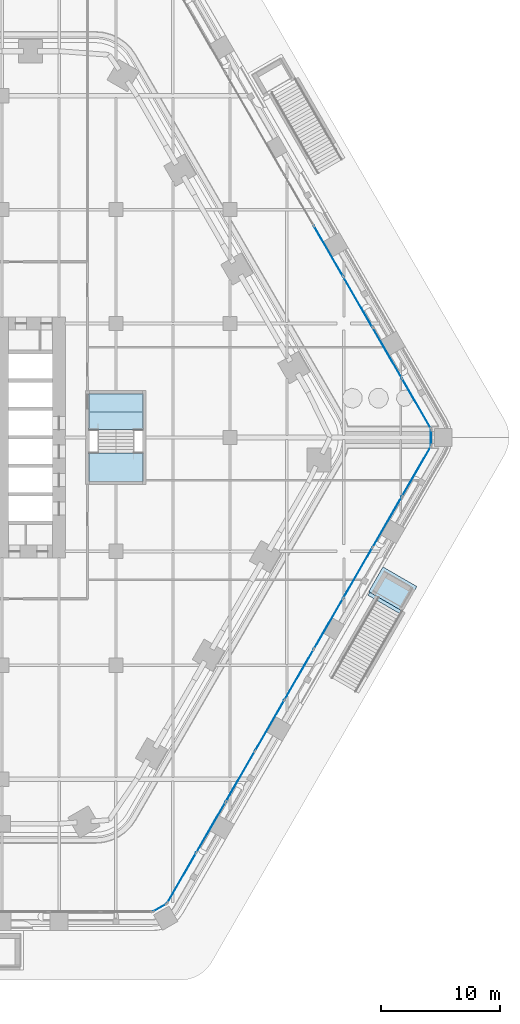
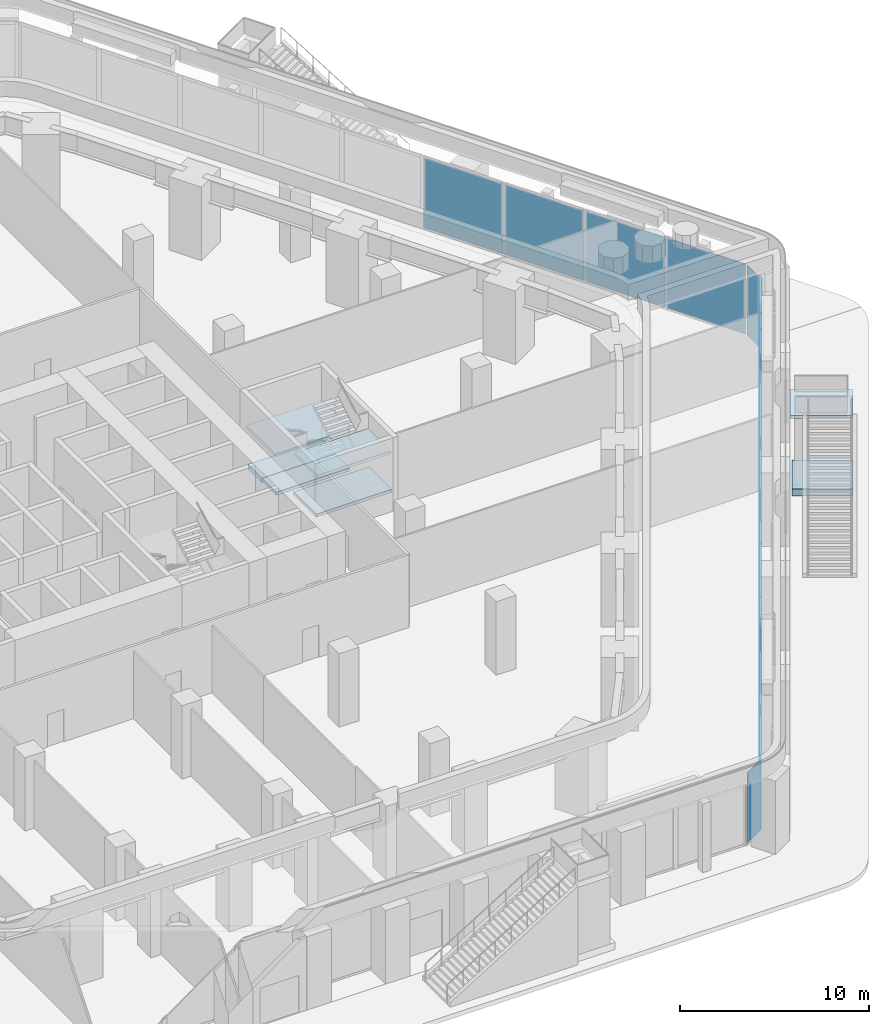
# One storey, part 15 of 34: 15 plates, 7 slabs, 6 elements without a shape of their own.
"""IFC4 building model written with IfcOpenShell, lengths in metres."""

import ifcopenshell
import ifcopenshell.guid

model = None  # the IFC model being written
_history = None  # IfcOwnerHistory: only IFC2X3 demands one
_inside = {}  # id of a spatial element -> (the spatial element, [elements in it])
_under = {}  # id of a project, library or spatial element -> (it, [spatial elements below it])
_declared = {}  # id of a project -> (the project, [libraries it declares])
_typed = {}  # id of a type object -> (the type object, [elements of that type])
_made_of = {}  # id of a material, layer set ... -> (it, [elements and type objects made of it])


def new_model(schema):
    """Start an empty IFC model of exactly this schema.

    Asked for "IFC4X3", IfcOpenShell would pick the latest addendum, in which some entities
    have other attributes; the version numbers below select the first issue.
    IFC2X3 requires an IfcOwnerHistory on every rooted entity: one is made here for all.
    """
    global model, _history
    if schema == "IFC4X3":
        model = ifcopenshell.file(schema_version=(4, 3, 0, 0))
    else:
        model = ifcopenshell.file(schema=schema)
    _inside.clear()
    _under.clear()
    _declared.clear()
    _typed.clear()
    _made_of.clear()
    _history = None
    if model.schema == "IFC2X3":
        org = make("IfcOrganization", Name="unknown")
        user = make(
            "IfcPersonAndOrganization",
            ThePerson=make("IfcPerson", FamilyName="unknown"),
            TheOrganization=org,
        )
        app = make(
            "IfcApplication",
            ApplicationDeveloper=org,
            Version="unknown",
            ApplicationFullName="unknown",
            ApplicationIdentifier="unknown",
        )
        _history = make(
            "IfcOwnerHistory",
            OwningUser=user,
            OwningApplication=app,
            ChangeAction="ADDED",
            CreationDate=0,
        )
    return model


def make(cls, **values):
    """One entity of the class cls with the attributes given. An attribute that is None is left unset."""
    return model.create_entity(
        cls, **{name: value for name, value in values.items() if value is not None}
    )


def rooted(cls, **values):
    """An entity with a GlobalId (a new one), such as an element, a storey or a relation."""
    return make(cls, GlobalId=ifcopenshell.guid.new(), OwnerHistory=_history, **values)


def si_unit(unit_type, name, prefix=None):
    """IfcSIUnit, for example si_unit("LENGTHUNIT", "METRE", prefix="MILLI")."""
    return make("IfcSIUnit", UnitType=unit_type, Prefix=prefix, Name=name)


def assignment(units):
    """IfcUnitAssignment: the units of a project."""
    return None if units is None else make("IfcUnitAssignment", Units=units)


def point(xyz):
    """IfcCartesianPoint."""
    return None if xyz is None else make("IfcCartesianPoint", Coordinates=xyz)


def direction(xyz):
    """IfcDirection."""
    return None if xyz is None else make("IfcDirection", DirectionRatios=xyz)


def frame(location, z_axis=None, x_axis=None):
    """IfcAxis2Placement3D, a coordinate frame: its origin and axes. An axis left out is left unset."""
    return make(
        "IfcAxis2Placement3D",
        Location=point(location),
        Axis=direction(z_axis),
        RefDirection=direction(x_axis),
    )


def frame_2d(location, x_axis=None):
    """IfcAxis2Placement2D, a coordinate frame in the plane: its origin and x axis."""
    return make(
        "IfcAxis2Placement2D", Location=point(location), RefDirection=direction(x_axis)
    )


def origin():
    """The frame at (0, 0, 0) with its axes left unset."""
    return frame((0.0, 0.0, 0.0))


def origin_2d():
    """The frame at (0, 0) in the plane with its x axis left unset."""
    return frame_2d((0.0, 0.0))


def place(relative_to, where):
    """IfcLocalPlacement: puts the frame where relative to a parent placement (None: the world)."""
    return make(
        "IfcLocalPlacement", PlacementRelTo=relative_to, RelativePlacement=where
    )


def context(
    kind, dimensions, precision=None, world=None, true_north=None, identifier=None
):
    """IfcGeometricRepresentationContext, for example the 3D "Model" context."""
    return make(
        "IfcGeometricRepresentationContext",
        ContextIdentifier=identifier,
        ContextType=kind,
        CoordinateSpaceDimension=dimensions,
        Precision=precision,
        WorldCoordinateSystem=world,
        TrueNorth=true_north,
    )


def subcontext(parent, identifier, kind, view, scale=None):
    """IfcGeometricRepresentationSubContext, for example "Body" below "Model"."""
    return make(
        "IfcGeometricRepresentationSubContext",
        ContextIdentifier=identifier,
        ContextType=kind,
        ParentContext=parent,
        TargetScale=scale,
        TargetView=view,
    )


def project(units=None, contexts=None):
    """IfcProject with its units and contexts."""
    return rooted(
        "IfcProject",
        Name="project",
        RepresentationContexts=contexts,
        UnitsInContext=assignment(units),
    )


def spatial(cls, under=None, at=None, **own):
    """A site, building, storey or space (cls), placed at a placement, below another one or the project."""
    s = rooted(cls, ObjectPlacement=at, **own)
    if under is not None:
        _under.setdefault(under.id(), (under, []))[1].append(s)
    return s


def polyline(points):
    """IfcPolyline through the points."""
    return make("IfcPolyline", Points=[point(p) for p in points])


def profile(cls, at=None, kind="AREA", **sizes):
    """A parametric profile (cls). Its sizes go by their IFC names, for example OverallWidth=200.0."""
    return make(cls, ProfileType=kind, Position=at, **sizes)


def rectangle(**sizes):
    """IfcRectangleProfileDef."""
    return profile("IfcRectangleProfileDef", **sizes)


def outline(outer, holes=None, kind="AREA"):
    """IfcArbitraryClosedProfileDef: a profile drawn as a closed curve; with holes, ...WithVoids."""
    if holes is None:
        return make("IfcArbitraryClosedProfileDef", ProfileType=kind, OuterCurve=outer)
    return make(
        "IfcArbitraryProfileDefWithVoids",
        ProfileType=kind,
        OuterCurve=outer,
        InnerCurves=holes,
    )


def extrude(swept, where, along, depth):
    """IfcExtrudedAreaSolid: the profile swept, set in the frame where, extruded along a direction by depth."""
    return make(
        "IfcExtrudedAreaSolid",
        SweptArea=swept,
        Position=where,
        ExtrudedDirection=direction(along),
        Depth=depth,
    )


def shape(context_of_items, identifier, shape_type, items):
    """IfcShapeRepresentation: the items that make up one representation, for example the "Body"."""
    return make(
        "IfcShapeRepresentation",
        ContextOfItems=context_of_items,
        RepresentationIdentifier=identifier,
        RepresentationType=shape_type,
        Items=items,
    )


def material(Name=None, Category=None):
    """IfcMaterial."""
    return make("IfcMaterial", Name=Name, Category=Category)


def layer(
    of_material, thickness, ventilated=None, Name=None, Category=None, Priority=None
):
    """IfcMaterialLayer: one layer of a wall or slab, of a material (None: an air gap)."""
    return make(
        "IfcMaterialLayer",
        Material=of_material,
        LayerThickness=thickness,
        IsVentilated=ventilated,
        Name=Name,
        Category=Category,
        Priority=Priority,
    )


def layer_set(layers, Name=None):
    """IfcMaterialLayerSet."""
    return make("IfcMaterialLayerSet", MaterialLayers=layers, LayerSetName=Name)


def made_of(thing, what):
    """Note that an element or type object is made of a material, layer set ...; save() writes the relation."""
    if what is not None:
        _made_of.setdefault(what.id(), (what, []))[1].append(thing)
    return thing


def type_object(cls, material=None, **own):
    """A type object (cls), such as IfcWallType, which elements share."""
    return made_of(rooted(cls, **own), material)


def element(
    cls,
    number,
    at=None,
    inside=None,
    cuts=None,
    type_object=None,
    material=None,
    context=None,
    identifier="Body",
    shape_type=None,
    held_by="IfcProductDefinitionShape",
    body=None,
    shapes=None,
    **own,
):
    """One element of the class cls, such as IfcWall. Its Tag is "e" and its number.

    at: its placement. inside: the storey or other place that contains it. cuts: it is an
    opening in that element (IfcRelVoidsElement). A single representation is given by context,
    identifier, shape_type and body (its items); several are given by shapes. held_by: the class
    of the entity that holds the representations. save() writes the other relations.
    """
    e = rooted(cls, Tag="e%d" % number, ObjectPlacement=at, **own)
    if body is not None:
        shapes = [shape(context, identifier, shape_type, body)]
    if shapes is not None:
        e.Representation = make(held_by, Representations=shapes)
    if inside is not None:
        _inside.setdefault(inside.id(), (inside, []))[1].append(e)
    if cuts is not None:
        rooted(
            "IfcRelVoidsElement", RelatingBuildingElement=cuts, RelatedOpeningElement=e
        )
    if type_object is not None:
        _typed.setdefault(type_object.id(), (type_object, []))[1].append(e)
    return made_of(e, material)


def aggregate(whole, parts):
    """IfcRelAggregates: a whole, such as a stair, and the parts it consists of."""
    return rooted("IfcRelAggregates", RelatingObject=whole, RelatedObjects=parts)


def save(model, path):
    """Write the relations noted so far, then the file.

    IfcRelAggregates (storeys below a building ...), IfcRelContainedInSpatialStructure (elements
    in a storey), IfcRelDefinesByType, IfcRelAssociatesMaterial and IfcRelDeclares: one each for
    every whole, place, type object, material and project.
    """
    for whole, parts in _under.values():
        aggregate(whole, parts)
    for where, things in _inside.values():
        rooted(
            "IfcRelContainedInSpatialStructure",
            RelatedElements=things,
            RelatingStructure=where,
        )
    for kind, things in _typed.values():
        rooted("IfcRelDefinesByType", RelatedObjects=things, RelatingType=kind)
    for what, things in _made_of.values():
        rooted("IfcRelAssociatesMaterial", RelatedObjects=things, RelatingMaterial=what)
    for by, libraries in _declared.values():
        rooted("IfcRelDeclares", RelatingContext=by, RelatedDefinitions=libraries)
    model.write(path)


model = new_model("IFC4")

# Units and contexts
model_context = context("Model", 3, precision=1e-05, world=origin(), true_north=direction((0.0, 1.0)))
body_context = subcontext(model_context, "Body", "Model", "MODEL_VIEW")
ifc_project = project(units=[si_unit("LENGTHUNIT", "METRE"), si_unit("AREAUNIT", "SQUARE_METRE"), si_unit("VOLUMEUNIT", "CUBIC_METRE"), si_unit("PLANEANGLEUNIT", "RADIAN"), si_unit("MASSUNIT", "GRAM", prefix="KILO")], contexts=[model_context])

# Site, building, storey
site_placement = place(None, origin())
site = spatial("IfcSite", under=ifc_project, at=site_placement, CompositionType="ELEMENT")
building_placement = place(site_placement, origin())
building = spatial("IfcBuilding", under=site, at=building_placement, Name="Kolab Exchange Tower", CompositionType="ELEMENT")
storey_placement = place(building_placement, frame((0.0, 0.0, 12.39990234375)))
storey = spatial("IfcBuildingStorey", under=building, at=storey_placement, Name="L02", CompositionType="ELEMENT", Elevation=12.39990234375)

# Slab
ifc_material_1 = material(Name="Concrete C35/45", Category="concrete")
ifc_layer_1 = layer(ifc_material_1, 0.300048828125)
ifc_layer_set_1 = layer_set([ifc_layer_1], Name="Concrete C35/45")
slab_type_1 = type_object("IfcSlabType", Name="FLOOR SLAB 300", PredefinedType="FLOOR", material=ifc_layer_set_1)
slab_1_placement = place(storey_placement, frame((0.0, 0.0, -0.2998046875)))
element("IfcSlab", 1, at=slab_1_placement, inside=storey, type_object=slab_type_1, Name="slab/L02/floor/9", PredefinedType="FLOOR", context=body_context, shape_type="SweptSolid", body=[
    extrude(outline(polyline([(21.449951171875, 3.64990234375), (16.949951171875, 3.64990234375), (16.949951171875, 2.14990234375), (21.449951171875, 2.14990234375), (21.449951171875, 3.64990234375)])), origin(), (0.0, 0.0, 1.0), 0.2998046875),
])

# Stair, slab
ifc_material_2 = material(Name="Concrete C40/50", Category="concrete")
stair_type_1 = type_object("IfcStairType", Name="GARDEN STAIR RUN A", PredefinedType="STRAIGHT_RUN_STAIR", material=ifc_material_2)
stair_1_placement = place(storey_placement, origin())
stair_1 = element("IfcStair", 2, at=stair_1_placement, inside=storey, type_object=stair_type_1, Name="Garden stair GS3 run A", PredefinedType="STRAIGHT_RUN_STAIR")
ifc_layer_2 = layer(ifc_material_2, 0.199951171875)
ifc_layer_set_2 = layer_set([ifc_layer_2], Name="Concrete C40/50")
slab_type_2 = type_object("IfcSlabType", Name="GARDEN STAIR LANDING 200", PredefinedType="LANDING", material=ifc_layer_set_2)
slab_2_placement = place(storey_placement, frame((0.0, 0.0, 4.800048828125)))
slab_2 = element("IfcSlab", 3, at=slab_2_placement, type_object=slab_type_2, Name="GS3 landing 1", PredefinedType="LANDING", context=body_context, shape_type="SweptSolid", body=[
    extrude(outline(polyline([(41.699951171875, -10.911865234375), (40.49755859375, -12.99462890625), (43.35546875, -14.644775390625), (44.557861328125, -12.56201171875), (41.699951171875, -10.911865234375)])), origin(), (0.0, 0.0, 1.0), 0.199951171875),
])
aggregate(stair_1, [slab_2])

# Curtain wall, plates
ifc_material_3 = material(Name="Aluminium EN AW-6063 T6", Category="aluminium")
curtain_wall_type = type_object("IfcCurtainWallType", Name="PODIUM STRUCTURAL GLAZING CURTAIN WALL", PredefinedType="NOTDEFINED", material=ifc_material_3)
curtain_wall_1_placement = place(storey_placement, origin())
curtain_wall_1 = element("IfcCurtainWall", 4, at=curtain_wall_1_placement, inside=storey, type_object=curtain_wall_type, Name="cw/L02/F2-1", PredefinedType="NOTDEFINED")
ifc_material_4 = material(Name="Clear insulated glazing unit", Category="glass")
ifc_layer_3 = layer(ifc_material_4, 0.035888671875)
ifc_layer_set_3 = layer_set([ifc_layer_3], Name="Clear insulated glazing unit")
plate_type = type_object("IfcPlateType", Name="PODIUM STRUCTURAL GLAZING GLASS PANEL 36", PredefinedType="CURTAIN_PANEL", material=ifc_layer_set_3)
plate_1_placement = place(storey_placement, frame((37.10595703125, 15.709228515625, 0.080078125), z_axis=(0.0, 0.0, 1.0), x_axis=(0.500000000469, -0.866025403514, 0.0)))
plate_1 = element("IfcPlate", 5, at=plate_1_placement, type_object=plate_type, Name="CW5 panel 6.1", PredefinedType="CURTAIN_PANEL", context=body_context, shape_type="SweptSolid", body=[
    extrude(rectangle(XDim=4.868408203125, YDim=0.035888671875, at=origin_2d()), origin(), (0.0, 0.0, 1.0), 4.5400390625),
])
plate_2_placement = place(storey_placement, frame((39.580078125, 11.423583984375, 0.080078125), z_axis=(0.0, 0.0, 1.0), x_axis=(0.500000000469, -0.866025403514, 0.0)))
plate_2 = element("IfcPlate", 6, at=plate_2_placement, type_object=plate_type, Name="CW5 panel 7.1", PredefinedType="CURTAIN_PANEL", context=body_context, shape_type="SweptSolid", body=[
    extrude(rectangle(XDim=4.868408203125, YDim=0.035888671875, at=origin_2d()), origin(), (0.0, 0.0, 1.0), 4.5400390625),
])
plate_3_placement = place(storey_placement, frame((42.054443359375, 7.13818359375, 0.080078125), z_axis=(0.0, 0.0, 1.0), x_axis=(0.500000000469, -0.866025403514, 0.0)))
plate_3 = element("IfcPlate", 7, at=plate_3_placement, type_object=plate_type, Name="CW5 panel 8.1", PredefinedType="CURTAIN_PANEL", context=body_context, shape_type="SweptSolid", body=[
    extrude(rectangle(XDim=4.868408203125, YDim=0.035888671875, at=origin_2d()), origin(), (0.0, 0.0, 1.0), 4.5400390625),
])
plate_4_placement = place(storey_placement, frame((44.5185546875, 2.8701171875, 0.080078125), z_axis=(0.0, 0.0, 1.0), x_axis=(0.500000000469, -0.866025403514, 0.0)))
plate_4 = element("IfcPlate", 8, at=plate_4_placement, type_object=plate_type, Name="CW5 panel 9.1", PredefinedType="CURTAIN_PANEL", context=body_context, shape_type="SweptSolid", body=[
    extrude(rectangle(XDim=4.828369140625, YDim=0.035888671875, at=origin_2d()), origin(), (0.0, 0.0, 1.0), 4.5400390625),
])
aggregate(curtain_wall_1, [plate_1, plate_2, plate_3, plate_4])

curtain_wall_2_placement = place(storey_placement, origin())
curtain_wall_2 = element("IfcCurtainWall", 9, at=curtain_wall_2_placement, inside=storey, type_object=curtain_wall_type, Name="cw/L02/F3-1", PredefinedType="NOTDEFINED")
plate_5_placement = place(storey_placement, frame((44.5185546875, -2.8701171875, 0.080078125), z_axis=(0.0, 0.0, 1.0), x_axis=(-0.500000000469, -0.866025403514, 0.0)))
plate_5 = element("IfcPlate", 10, at=plate_5_placement, type_object=plate_type, Name="CW5 panel 1.1", PredefinedType="CURTAIN_PANEL", context=body_context, shape_type="SweptSolid", body=[
    extrude(rectangle(XDim=4.828369140625, YDim=0.035888671875, at=origin_2d()), origin(), (0.0, 0.0, 1.0), 4.5400390625),
])
plate_6_placement = place(storey_placement, frame((42.054443359375, -7.13818359375, 0.080078125), z_axis=(0.0, 0.0, 1.0), x_axis=(-0.500000000469, -0.866025403514, 0.0)))
plate_6 = element("IfcPlate", 11, at=plate_6_placement, type_object=plate_type, Name="CW5 panel 2.1", PredefinedType="CURTAIN_PANEL", context=body_context, shape_type="SweptSolid", body=[
    extrude(rectangle(XDim=4.868408203125, YDim=0.035888671875, at=origin_2d()), origin(), (0.0, 0.0, 1.0), 4.5400390625),
])
plate_7_placement = place(storey_placement, frame((39.580078125, -11.423583984375, 0.080078125), z_axis=(0.0, 0.0, 1.0), x_axis=(-0.500000000469, -0.866025403514, 0.0)))
plate_7 = element("IfcPlate", 12, at=plate_7_placement, type_object=plate_type, Name="CW5 panel 3.1", PredefinedType="CURTAIN_PANEL", context=body_context, shape_type="SweptSolid", body=[
    extrude(rectangle(XDim=4.868408203125, YDim=0.035888671875, at=origin_2d()), origin(), (0.0, 0.0, 1.0), 4.5400390625),
])
plate_8_placement = place(storey_placement, frame((37.10595703125, -15.709228515625, 0.080078125), z_axis=(0.0, 0.0, 1.0), x_axis=(-0.500000000469, -0.866025403514, 0.0)))
plate_8 = element("IfcPlate", 13, at=plate_8_placement, type_object=plate_type, Name="CW5 panel 4.1", PredefinedType="CURTAIN_PANEL", context=body_context, shape_type="SweptSolid", body=[
    extrude(rectangle(XDim=4.868408203125, YDim=0.035888671875, at=origin_2d()), origin(), (0.0, 0.0, 1.0), 4.5400390625),
])
plate_9_placement = place(storey_placement, frame((34.631591796875, -19.99462890625, 0.080078125), z_axis=(0.0, 0.0, 1.0), x_axis=(-0.500000000469, -0.866025403514, 0.0)))
plate_9 = element("IfcPlate", 14, at=plate_9_placement, type_object=plate_type, Name="CW5 panel 5.1", PredefinedType="CURTAIN_PANEL", context=body_context, shape_type="SweptSolid", body=[
    extrude(rectangle(XDim=4.868408203125, YDim=0.035888671875, at=origin_2d()), origin(), (0.0, 0.0, 1.0), 4.5400390625),
])
plate_10_placement = place(storey_placement, frame((32.157470703125, -24.280029296875, 0.080078125), z_axis=(0.0, 0.0, 1.0), x_axis=(-0.500000000469, -0.866025403514, 0.0)))
plate_10 = element("IfcPlate", 15, at=plate_10_placement, type_object=plate_type, Name="CW5 panel 6.1", PredefinedType="CURTAIN_PANEL", context=body_context, shape_type="SweptSolid", body=[
    extrude(rectangle(XDim=4.868408203125, YDim=0.035888671875, at=origin_2d()), origin(), (0.0, 0.0, 1.0), 4.5400390625),
])
plate_11_placement = place(storey_placement, frame((29.683349609375, -28.5654296875, 0.080078125), z_axis=(0.0, 0.0, 1.0), x_axis=(-0.500000000469, -0.866025403514, 0.0)))
plate_11 = element("IfcPlate", 16, at=plate_11_placement, type_object=plate_type, Name="CW5 panel 7.1", PredefinedType="CURTAIN_PANEL", context=body_context, shape_type="SweptSolid", body=[
    extrude(rectangle(XDim=4.868408203125, YDim=0.035888671875, at=origin_2d()), origin(), (0.0, 0.0, 1.0), 4.5400390625),
])
plate_12_placement = place(storey_placement, frame((27.208984375, -32.85107421875, 0.080078125), z_axis=(0.0, 0.0, 1.0), x_axis=(-0.500000000469, -0.866025403514, 0.0)))
plate_12 = element("IfcPlate", 17, at=plate_12_placement, type_object=plate_type, Name="CW5 panel 8.1", PredefinedType="CURTAIN_PANEL", context=body_context, shape_type="SweptSolid", body=[
    extrude(rectangle(XDim=4.868408203125, YDim=0.035888671875, at=origin_2d()), origin(), (0.0, 0.0, 1.0), 4.5400390625),
])
plate_13_placement = place(storey_placement, frame((24.744873046875, -37.119140625, 0.080078125), z_axis=(0.0, 0.0, 1.0), x_axis=(-0.500000000469, -0.866025403514, 0.0)))
plate_13 = element("IfcPlate", 18, at=plate_13_placement, type_object=plate_type, Name="CW5 panel 9.1", PredefinedType="CURTAIN_PANEL", context=body_context, shape_type="SweptSolid", body=[
    extrude(rectangle(XDim=4.828369140625, YDim=0.035888671875, at=origin_2d()), origin(), (0.0, 0.0, 1.0), 4.5400390625),
])
aggregate(curtain_wall_2, [plate_5, plate_6, plate_7, plate_8, plate_9, plate_10, plate_11, plate_12, plate_13])

# Curtain wall, plate
curtain_wall_3_placement = place(storey_placement, origin())
curtain_wall_3 = element("IfcCurtainWall", 19, at=curtain_wall_3_placement, inside=storey, type_object=curtain_wall_type, Name="cw/L02/F2F3-corner", PredefinedType="NOTDEFINED")
plate_14_placement = place(storey_placement, frame((45.765625, 0.0, 0.080078125), z_axis=(0.0, 0.0, 1.0), x_axis=(0.0, -1.0, 0.0)))
plate_14 = element("IfcPlate", 20, at=plate_14_placement, type_object=plate_type, Name="CW5 panel 1.1", PredefinedType="CURTAIN_PANEL", context=body_context, shape_type="SweptSolid", body=[
    extrude(rectangle(XDim=1.260009765625, YDim=0.035888671875, at=origin_2d()), origin(), (0.0, 0.0, 1.0), 4.5400390625),
])
aggregate(curtain_wall_3, [plate_14])

curtain_wall_4_placement = place(storey_placement, origin())
curtain_wall_4 = element("IfcCurtainWall", 21, at=curtain_wall_4_placement, inside=storey, type_object=curtain_wall_type, Name="cw/L02/F3F4-corner", PredefinedType="NOTDEFINED")
plate_15_placement = place(storey_placement, frame((22.8828125, -39.63427734375, 0.080078125), z_axis=(0.0, 0.0, 1.0), x_axis=(-0.866025390869, -0.50000002237, 0.0)))
plate_15 = element("IfcPlate", 22, at=plate_15_placement, type_object=plate_type, Name="CW5 panel 1.1", PredefinedType="CURTAIN_PANEL", context=body_context, shape_type="SweptSolid", body=[
    extrude(rectangle(XDim=1.260009765625, YDim=0.035888671875, at=origin_2d()), origin(), (0.0, 0.0, 1.0), 4.5400390625),
])
aggregate(curtain_wall_4, [plate_15])

# Stair, slabs
ifc_material_5 = material(Name="Concrete C50/60", Category="concrete")
stair_type_2 = type_object("IfcStairType", Name="STAIR ST4 RISER 156.2", PredefinedType="DOUBLE_RETURN_STAIR", material=ifc_material_5)
stair_2_placement = place(storey_placement, origin())
stair_2 = element("IfcStair", 23, at=stair_2_placement, inside=storey, type_object=stair_type_2, Name="Stair 4", PredefinedType="DOUBLE_RETURN_STAIR")
ifc_layer_4 = layer(ifc_material_5, 0.199951171875)
ifc_layer_set_4 = layer_set([ifc_layer_4], Name="Concrete C50/60")
slab_type_3 = type_object("IfcSlabType", Name="STAIR LANDING 200", PredefinedType="LANDING", material=ifc_layer_set_4)
slab_3_placement = place(storey_placement, frame((0.0, 0.0, -0.199951171875)))
slab_3 = element("IfcSlab", 24, at=slab_3_placement, type_object=slab_type_3, Name="ST4 landing 1", PredefinedType="LANDING", context=body_context, shape_type="SweptSolid", body=[
    extrude(outline(polyline([(16.949951171875, 0.64990234375), (21.449951171875, 0.64990234375), (21.449951171875, 2.14990234375), (16.949951171875, 2.14990234375), (16.949951171875, 0.64990234375)])), origin(), (0.0, 0.0, 1.0), 0.199951171875),
])
slab_4_placement = place(storey_placement, frame((0.0, 0.0, 1.050048828125)))
slab_4 = element("IfcSlab", 25, at=slab_4_placement, type_object=slab_type_3, Name="ST4 landing 2", PredefinedType="LANDING", context=body_context, shape_type="SweptSolid", body=[
    extrude(outline(polyline([(16.889892578125, -3.7099609375), (21.510009765625, -3.7099609375), (21.510009765625, -1.31005859375), (16.889892578125, -1.31005859375), (16.889892578125, -3.7099609375)])), origin(), (0.0, 0.0, 1.0), 0.199951171875),
])
slab_5_placement = place(storey_placement, frame((0.0, 0.0, 2.300048828125)))
slab_5 = element("IfcSlab", 26, at=slab_5_placement, type_object=slab_type_3, Name="ST4 landing 3", PredefinedType="LANDING", context=body_context, shape_type="SweptSolid", body=[
    extrude(outline(polyline([(16.889892578125, 0.64990234375), (21.510009765625, 0.64990234375), (21.510009765625, 3.7099609375), (16.889892578125, 3.7099609375), (16.889892578125, 0.64990234375)])), origin(), (0.0, 0.0, 1.0), 0.199951171875),
])
slab_6_placement = place(storey_placement, frame((0.0, 0.0, 3.550048828125)))
slab_6 = element("IfcSlab", 27, at=slab_6_placement, type_object=slab_type_3, Name="ST4 landing 4", PredefinedType="LANDING", context=body_context, shape_type="SweptSolid", body=[
    extrude(outline(polyline([(16.949951171875, -3.7099609375), (21.449951171875, -3.7099609375), (21.449951171875, -1.31005859375), (16.949951171875, -1.31005859375), (16.949951171875, -3.7099609375)])), origin(), (0.0, 0.0, 1.0), 0.199951171875),
])
aggregate(stair_2, [slab_3, slab_4, slab_5, slab_6])

# Slab
ifc_layer_5 = layer(ifc_material_2, 0.449951171875)
ifc_layer_set_5 = layer_set([ifc_layer_5], Name="Concrete C40/50")
slab_type_4 = type_object("IfcSlabType", Name="STAIR PIER PLINTH 450", PredefinedType="FLOOR", material=ifc_layer_set_5)
slab_7_placement = place(storey_placement, origin())
element("IfcSlab", 28, at=slab_7_placement, inside=storey, type_object=slab_type_4, Name="Stair pier plinth", PredefinedType="FLOOR", context=body_context, shape_type="SweptSolid", body=[
    extrude(outline(polyline([(41.78662109375, -10.9619140625), (40.4365234375, -13.30029296875), (43.207763671875, -14.900146484375), (44.557861328125, -12.56201171875), (41.78662109375, -10.9619140625)])), origin(), (0.0, 0.0, 1.0), 0.4501953125),
])

save(model, "model.ifc")
